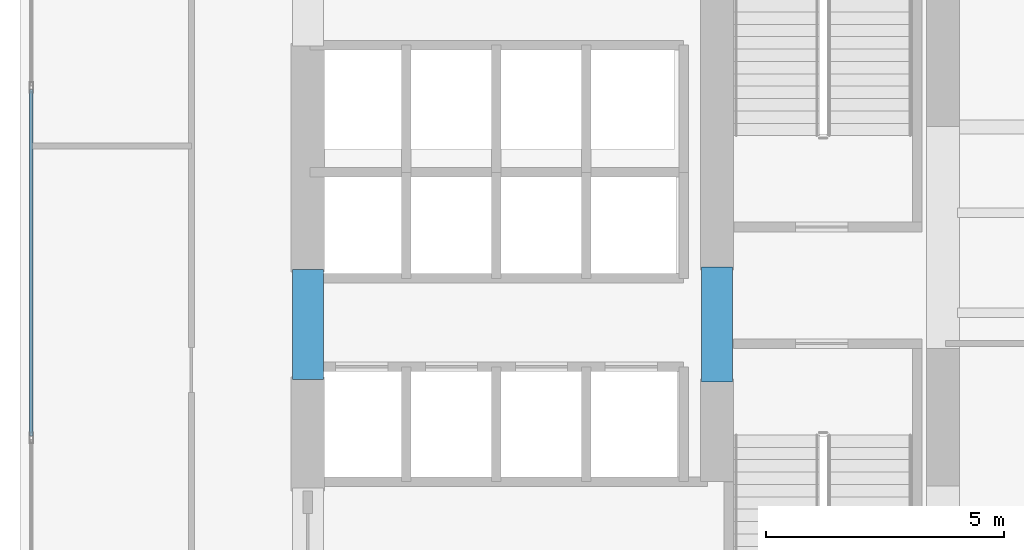
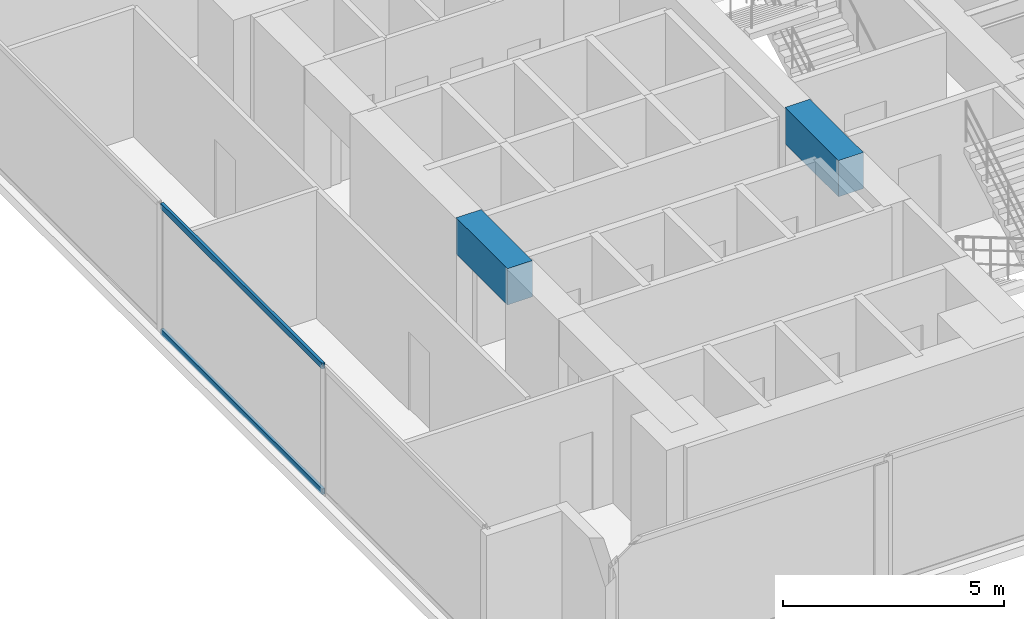
# One storey, part 3 of 28: 2 beams, 2 members, 1 element without a shape of its own.
"""IFC4 building model written with IfcOpenShell, lengths in metres."""

from ifc_helpers import new_model, si_unit, direction, frame, origin, origin_with_axes, origin_2d, place, context, subcontext, project, spatial, rectangle, hollow_rectangle, extrude, source, transform, mapped, material, layer, layer_set, material_profile, profile_set, type_object, element, aggregate, save


model = new_model("IFC4")

# Units and contexts
model_context = context("Model", 3, precision=1e-05, world=origin(), true_north=direction((0.0, 1.0)))
body_context = subcontext(model_context, "Body", "Model", "MODEL_VIEW")
ifc_project = project(units=[si_unit("LENGTHUNIT", "METRE"), si_unit("AREAUNIT", "SQUARE_METRE"), si_unit("VOLUMEUNIT", "CUBIC_METRE"), si_unit("PLANEANGLEUNIT", "RADIAN"), si_unit("MASSUNIT", "GRAM", prefix="KILO")], contexts=[model_context])

# Site, building, storey
site_placement = place(None, origin())
site = spatial("IfcSite", under=ifc_project, at=site_placement, CompositionType="ELEMENT")
building_placement = place(site_placement, origin())
building = spatial("IfcBuilding", under=site, at=building_placement, Name="Kolvaren Waterfront Exchange", CompositionType="ELEMENT")
storey_placement = place(building_placement, frame((0.0, 0.0, 75.199951171875)))
storey = spatial("IfcBuildingStorey", under=building, at=storey_placement, Name="L19", CompositionType="ELEMENT", Elevation=75.199951171875)

# Beams
ifc_material_1 = material(Name="Concrete C60/75", Category="concrete")
ifc_material_profile_1 = material_profile(ifc_material_1, rectangle(XDim=0.64990234375, YDim=1.0, at=origin_2d()), Name="RC-CB-1000x650")
ifc_profile_set_1 = profile_set([ifc_material_profile_1], Name="Concrete C60/75")
beam_type = type_object("IfcBeamType", Name="STR-CB-1000", PredefinedType="SPANDREL", material=ifc_profile_set_1)
beam_1_placement = place(storey_placement, frame((7.449951171875, 12.090087890625, 3.0400390625), z_axis=(0.0, 1.0, 0.0), x_axis=(-1.0, 0.0, 0.0)))
element("IfcBeam", 1, at=beam_1_placement, inside=storey, type_object=beam_type, Name="L19 core coupling beam 4", PredefinedType="SPANDREL", context=body_context, shape_type="SweptSolid", body=[
    extrude(rectangle(XDim=0.64990234375, YDim=1.0, at=origin_2d()), origin(), (0.0, 0.0, 1.0), 2.31982421875),
])
beam_2_placement = place(storey_placement, frame((16.050048828125, 12.0400390625, 3.0400390625), z_axis=(0.0, 1.0, 0.0), x_axis=(-1.0, 0.0, 0.0)))
element("IfcBeam", 2, at=beam_2_placement, inside=storey, type_object=beam_type, Name="L19 core coupling beam 6", PredefinedType="SPANDREL", context=body_context, shape_type="SweptSolid", body=[
    extrude(rectangle(XDim=0.64990234375, YDim=1.0, at=origin_2d()), origin(), (0.0, 0.0, 1.0), 2.419921875),
])

# Curtain wall, members
ifc_material_2 = material(Name="Anodised aluminium 6063-T6", Category="aluminium")
ifc_layer = layer(ifc_material_2, 0.219970703125, Name="Anodised aluminium 6063-T6")
ifc_layer_set = layer_set([ifc_layer], Name="Anodised aluminium 6063-T6")
curtain_wall_type = type_object("IfcCurtainWallType", Name="ARC-CW-SYS2", PredefinedType="USERDEFINED", material=ifc_layer_set)
curtain_wall_placement = place(storey_placement, origin())
curtain_wall = element("IfcCurtainWall", 3, at=curtain_wall_placement, inside=storey, type_object=curtain_wall_type, Name="L19 stick curtain wall CW2 (CW-L19-W)", ObjectType="STICK CURTAIN WALL", PredefinedType="USERDEFINED")
ifc_material_profile_2 = material_profile(ifc_material_2, hollow_rectangle(XDim=0.074951171875, YDim=0.159912109375, WallThickness=0.00439453125, at=origin_2d()), Name="ALU-TRN-160x75x4.5")
ifc_profile_set_2 = profile_set([ifc_material_profile_2], Name="Anodised aluminium 6063-T6")
member_type = type_object("IfcMemberType", Name="ARC-CWT-160", PredefinedType="USERDEFINED", material=ifc_profile_set_2)
shared_shape = source(origin_with_axes(), body_context, "Body", "SweptSolid", [
    extrude(hollow_rectangle(XDim=0.074951171875, YDim=0.159912109375, WallThickness=0.00439453125, at=origin_2d()), origin(), (0.0, 0.0, 1.0), 7.28662109375),
])
member_1_placement = place(storey_placement, frame((1.639892578125, 10.90673828125, 0.03759765625), z_axis=(0.0, 1.0, 0.0), x_axis=(-1.0, 0.0, 0.0)))
member_1 = element("IfcMember", 4, at=member_1_placement, type_object=member_type, Name="CW2 transom 2.1", ObjectType="TRANSOM", PredefinedType="USERDEFINED", context=body_context, shape_type="MappedRepresentation", body=[
    mapped(shared_shape, transform((0.0, 0.0, 0.0), x_axis=(1.0, 0.0, 0.0), y_axis=(0.0, 1.0, 0.0), z_axis=(0.0, 0.0, 1.0), scale=1.0)),
])
member_2_placement = place(storey_placement, frame((1.639892578125, 10.90673828125, 3.50244140625), z_axis=(0.0, 1.0, 0.0), x_axis=(-1.0, 0.0, 0.0)))
member_2 = element("IfcMember", 5, at=member_2_placement, type_object=member_type, Name="CW2 transom 2.2", ObjectType="TRANSOM", PredefinedType="USERDEFINED", context=body_context, shape_type="MappedRepresentation", body=[
    mapped(shared_shape, transform((0.0, 0.0, 0.0), x_axis=(1.0, 0.0, 0.0), y_axis=(0.0, 1.0, 0.0), z_axis=(0.0, 0.0, 1.0), scale=1.0)),
])
aggregate(curtain_wall, [member_1, member_2])

save(model, "model.ifc")
